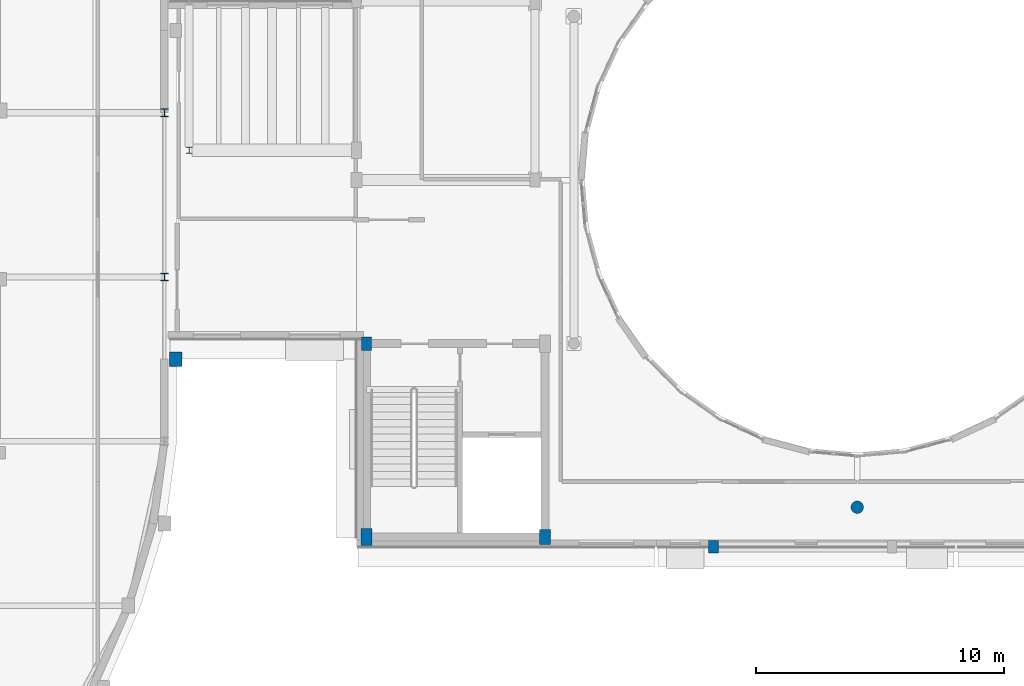
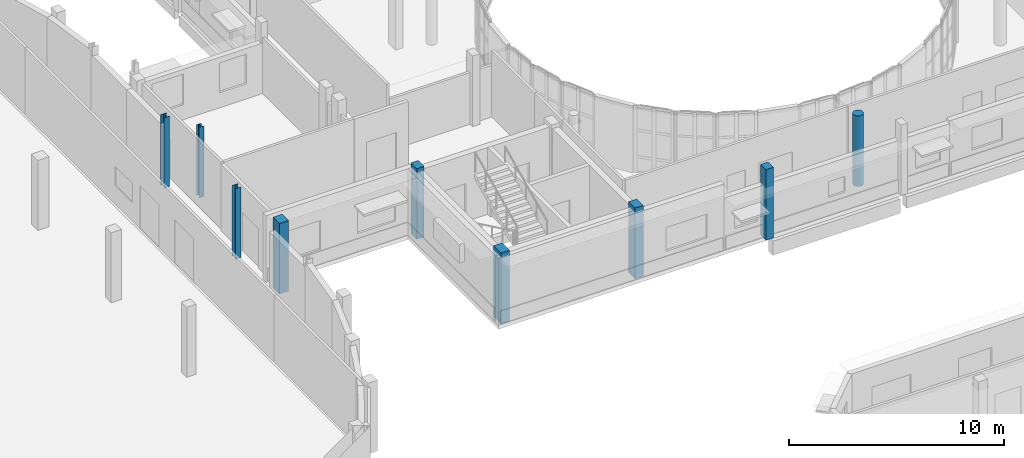
# One storey, part 5 of 105: 9 columns.
"""IFC4 building model written with IfcOpenShell, lengths in metres."""

from ifc_helpers import new_model, si_unit, direction, frame, origin, origin_2d, place, context, subcontext, project, spatial, rectangle, circle, i_section, extrude, material, material_profile, profile_set, type_object, element, save


model = new_model("IFC4")

# Units and contexts
model_context = context("Model", 3, precision=1e-05, world=origin(), true_north=direction((0.0, 1.0)))
body_context = subcontext(model_context, "Body", "Model", "MODEL_VIEW")
ifc_project = project(units=[si_unit("LENGTHUNIT", "METRE"), si_unit("AREAUNIT", "SQUARE_METRE"), si_unit("VOLUMEUNIT", "CUBIC_METRE"), si_unit("PLANEANGLEUNIT", "RADIAN"), si_unit("MASSUNIT", "GRAM", prefix="KILO")], contexts=[model_context])

# Site, building, storey
site_placement = place(None, origin())
site = spatial("IfcSite", under=ifc_project, at=site_placement, CompositionType="ELEMENT")
building_placement = place(site_placement, origin())
building = spatial("IfcBuilding", under=site, at=building_placement, Name="Kelanivale Promenade Academy", CompositionType="ELEMENT")
storey_placement = place(building_placement, frame((0.0, 0.0, 4.199951171875)))
storey = spatial("IfcBuildingStorey", under=building, at=storey_placement, Name="L01", CompositionType="ELEMENT", Elevation=4.199951171875)

# Columns
ifc_material_1 = material(Name="Concrete C40/50", Category="concrete")
ifc_material_profile_1 = material_profile(ifc_material_1, rectangle(XDim=0.39990234375, YDim=0.550048828125, at=origin_2d()), Name="RC-COL 400x550")
ifc_profile_set_1 = profile_set([ifc_material_profile_1], Name="Concrete C40/50")
column_type_1 = type_object("IfcColumnType", Name="C-07 RC-COL 400x550", PredefinedType="COLUMN", material=ifc_profile_set_1)
column_1_placement = place(storey_placement, frame((43.60009765625, 50.199951171875, 0.0), z_axis=(0.0, 0.0, 1.0), x_axis=(1.0, 0.0, 0.0)))
element("IfcColumn", 1, at=column_1_placement, inside=storey, type_object=column_type_1, Name="Column C-07 at (43.6, 50.2) L01", PredefinedType="COLUMN", context=body_context, shape_type="SweptSolid", body=[
    extrude(rectangle(XDim=0.39990234375, YDim=0.550048828125, at=origin_2d()), origin(), (0.0, 0.0, 1.0), 4.0),
])
ifc_material_profile_2 = material_profile(ifc_material_1, rectangle(XDim=0.449951171875, YDim=0.60009765625, at=origin_2d()), Name="RC-COL 450x600")
ifc_profile_set_2 = profile_set([ifc_material_profile_2], Name="Concrete C40/50")
column_type_2 = type_object("IfcColumnType", Name="C-09 RC-COL 450x600", PredefinedType="COLUMN", material=ifc_profile_set_2)
column_2_placement = place(storey_placement, frame((50.800048828125, 42.39990234375, 0.0), z_axis=(0.0, 0.0, 1.0), x_axis=(1.0, 0.0, 0.0)))
element("IfcColumn", 2, at=column_2_placement, inside=storey, type_object=column_type_2, Name="Column C-09 at (50.8, 42.4) L01", PredefinedType="COLUMN", context=body_context, shape_type="SweptSolid", body=[
    extrude(rectangle(XDim=0.449951171875, YDim=0.60009765625, at=origin_2d()), origin(), (0.0, 0.0, 1.0), 4.0),
])
ifc_material_profile_3 = material_profile(ifc_material_1, rectangle(XDim=0.449951171875, YDim=0.699951171875, at=origin_2d()), Name="RC-COL 450x700")
ifc_profile_set_3 = profile_set([ifc_material_profile_3], Name="Concrete C40/50")
column_type_3 = type_object("IfcColumnType", Name="C-10 RC-COL 450x700", PredefinedType="COLUMN", material=ifc_profile_set_3)
column_3_placement = place(storey_placement, frame((43.60009765625, 42.39990234375, 0.0), z_axis=(0.0, 0.0, 1.0), x_axis=(1.0, 0.0, 0.0)))
element("IfcColumn", 3, at=column_3_placement, inside=storey, type_object=column_type_3, Name="Column C-10 at (43.6, 42.4) L01", PredefinedType="COLUMN", context=body_context, shape_type="SweptSolid", body=[
    extrude(rectangle(XDim=0.449951171875, YDim=0.699951171875, at=origin_2d()), origin(), (0.0, 0.0, 1.0), 4.0),
])
ifc_material_profile_4 = material_profile(ifc_material_1, circle(Radius=0.25, at=origin_2d()), Name="RC-COL D500")
ifc_profile_set_4 = profile_set([ifc_material_profile_4], Name="Concrete C40/50")
column_type_4 = type_object("IfcColumnType", Name="CC-20 RC-COL D500", PredefinedType="COLUMN", material=ifc_profile_set_4)
column_4_placement = place(storey_placement, frame((63.39990234375, 43.60009765625, 0.0), z_axis=(0.0, 0.0, 1.0), x_axis=(1.0, 0.0, 0.0)))
element("IfcColumn", 4, at=column_4_placement, inside=storey, type_object=column_type_4, Name="Column CC-20 at (63.4, 43.6) L01", PredefinedType="COLUMN", context=body_context, shape_type="SweptSolid", body=[
    extrude(circle(Radius=0.25, at=origin_2d()), origin(), (0.0, 0.0, 1.0), 4.0),
])
ifc_material_profile_5 = material_profile(ifc_material_1, rectangle(XDim=0.39990234375, YDim=0.5, at=origin_2d()), Name="RC-PIL 400x500")
ifc_profile_set_5 = profile_set([ifc_material_profile_5], Name="Concrete C40/50")
column_type_5 = type_object("IfcColumnType", Name="PL-16 RC-PIL 400x500", PredefinedType="PILASTER", material=ifc_profile_set_5)
column_5_placement = place(storey_placement, frame((57.60009765625, 42.0, 0.0), z_axis=(0.0, 0.0, 1.0), x_axis=(1.0, 0.0, 0.0)))
element("IfcColumn", 5, at=column_5_placement, inside=storey, type_object=column_type_5, Name="Column PL-16 at (57.6, 42.0) L01", PredefinedType="PILASTER", context=body_context, shape_type="SweptSolid", body=[
    extrude(rectangle(XDim=0.39990234375, YDim=0.5, at=origin_2d()), origin(), (0.0, 0.0, 1.0), 4.0),
])
ifc_material_profile_6 = material_profile(ifc_material_1, rectangle(XDim=0.5, YDim=0.60009765625, at=origin_2d()), Name="RC-PIL 500x600")
ifc_profile_set_6 = profile_set([ifc_material_profile_6], Name="Concrete C40/50")
column_type_6 = type_object("IfcColumnType", Name="PL-18 RC-PIL 500x600", PredefinedType="PILASTER", material=ifc_profile_set_6)
column_6_placement = place(storey_placement, frame((35.909912109375, 49.571044921875, 0.0), z_axis=(0.0, 0.0, 1.0), x_axis=(1.0, 0.0, 0.0)))
element("IfcColumn", 6, at=column_6_placement, inside=storey, type_object=column_type_6, Name="Column PL-18 at (35.9, 49.6) L01", PredefinedType="PILASTER", context=body_context, shape_type="SweptSolid", body=[
    extrude(rectangle(XDim=0.5, YDim=0.60009765625, at=origin_2d()), origin(), (0.0, 0.0, 1.0), 4.0),
])
ifc_material_2 = material(Name="Steel S355", Category="steel")
ifc_material_profile_7 = material_profile(ifc_material_2, i_section(OverallWidth=0.254638671875, OverallDepth=0.254150390625, WebThickness=0.008544921875, FlangeThickness=0.01416015625, FilletRadius=0.0126953125, at=origin_2d()), Name="UC 254x254x73")
ifc_profile_set_7 = profile_set([ifc_material_profile_7], Name="Steel S355")
column_type_7 = type_object("IfcColumnType", Name="SC-02 UC 254x254x73", PredefinedType="COLUMN", material=ifc_profile_set_7)
column_7_placement = place(storey_placement, frame((36.449951171875, 58.0, 0.0), z_axis=(0.0, 0.0, 1.0), x_axis=(1.0, 0.0, 0.0)))
element("IfcColumn", 7, at=column_7_placement, inside=storey, type_object=column_type_7, Name="Column SC-02 at (36.5, 58.0) L01", PredefinedType="COLUMN", context=body_context, shape_type="SweptSolid", body=[
    extrude(i_section(OverallWidth=0.254638671875, OverallDepth=0.254150390625, WebThickness=0.008544921875, FlangeThickness=0.01416015625, FilletRadius=0.0126953125, at=origin_2d()), origin(), (0.0, 0.0, 1.0), 4.0),
])
ifc_material_profile_8 = material_profile(ifc_material_2, i_section(OverallWidth=0.307373046875, OverallDepth=0.314453125, WebThickness=0.011962890625, FlangeThickness=0.018798828125, FilletRadius=0.01513671875, at=origin_2d()), Name="UC 305x305x118")
ifc_profile_set_8 = profile_set([ifc_material_profile_8], Name="Steel S355")
column_type_8 = type_object("IfcColumnType", Name="SC-04 UC 305x305x118", PredefinedType="COLUMN", material=ifc_profile_set_8)
for number, where, z_axis, x_axis, name in (
    (8, (35.449951171875, 52.885986328125, 0.0), (0.0, 0.0, 1.0), (1.0, 0.0, 0.0), "Column SC-04 at (35.5, 52.9) L01"),
    (9, (35.449951171875, 59.513916015625, 0.0), (0.0, 0.0, 1.0), (1.0, 0.0, 0.0), "Column SC-04 at (35.5, 59.5) L01"),
):
    element("IfcColumn", number, at=place(storey_placement, frame(where, z_axis=z_axis, x_axis=x_axis)), inside=storey, type_object=column_type_8, Name=name, PredefinedType="COLUMN", context=body_context, shape_type="SweptSolid", body=[
        extrude(i_section(OverallWidth=0.307373046875, OverallDepth=0.314453125, WebThickness=0.011962890625, FlangeThickness=0.018798828125, FilletRadius=0.01513671875, at=origin_2d()), origin(), (0.0, 0.0, 1.0), 4.0),
    ])

save(model, "model.ifc")
